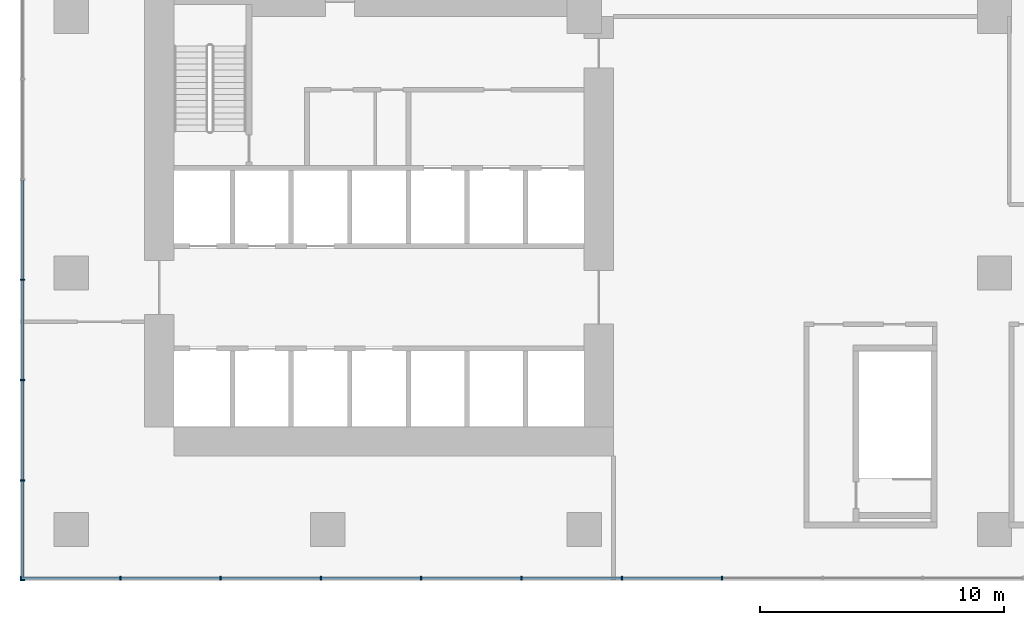
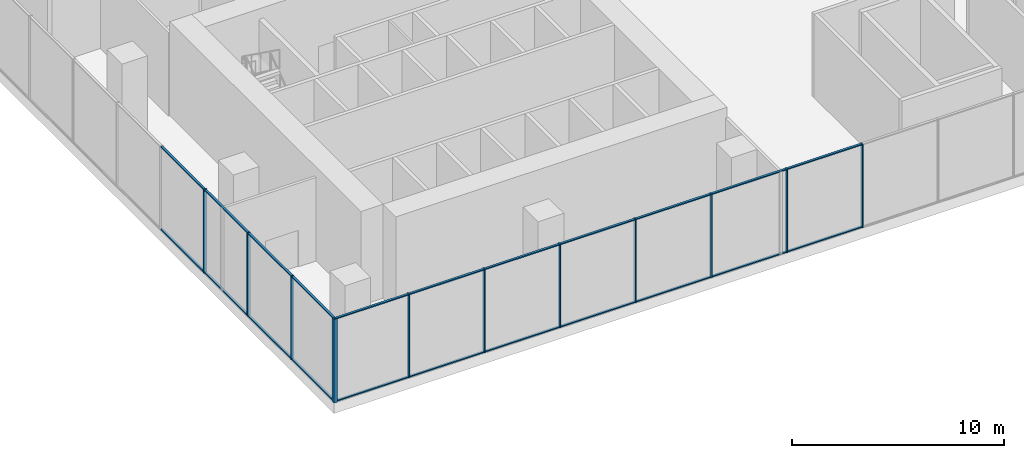
# One storey, part 2 of 21: 34 members, 2 elements without a shape of their own.
"""IFC4 building model written with IfcOpenShell, lengths in metres."""

from ifc_helpers import new_model, si_unit, direction, frame, origin, origin_2d, place, context, subcontext, project, spatial, rectangle, extrude, source, transform, mapped, material, layer, layer_set, material_profile, profile_set, type_object, element, aggregate, save


model = new_model("IFC4")

# Units and contexts
model_context = context("Model", 3, precision=1e-05, world=origin(), true_north=direction((0.0, 1.0)))
body_context = subcontext(model_context, "Body", "Model", "MODEL_VIEW")
ifc_project = project(units=[si_unit("LENGTHUNIT", "METRE"), si_unit("AREAUNIT", "SQUARE_METRE"), si_unit("VOLUMEUNIT", "CUBIC_METRE"), si_unit("PLANEANGLEUNIT", "RADIAN"), si_unit("MASSUNIT", "GRAM", prefix="KILO")], contexts=[model_context])

# Site, building, storey
site_placement = place(None, origin())
site = spatial("IfcSite", under=ifc_project, at=site_placement, CompositionType="ELEMENT")
building_placement = place(site_placement, origin())
building = spatial("IfcBuilding", under=site, at=building_placement, Name="Aurelian Terraces", CompositionType="ELEMENT")
storey_placement = place(building_placement, frame((0.0, 0.0, 29.1)))
storey = spatial("IfcBuildingStorey", under=building, at=storey_placement, Name="L05", CompositionType="ELEMENT", Elevation=29.1)

# Curtain wall, members
ifc_material_1 = material(Name="Anodised aluminium and clear glazing", Category="aluminium")
ifc_layer = layer(ifc_material_1, 0.2)
ifc_layer_set = layer_set([ifc_layer], Name="Winter garden glazing curtain wall")
curtain_wall_type = type_object("IfcCurtainWallType", Name="Winter garden glazing curtain wall", PredefinedType="NOTDEFINED", material=ifc_layer_set)
curtain_wall_1_placement = place(storey_placement, origin())
curtain_wall_1 = element("IfcCurtainWall", 1, at=curtain_wall_1_placement, inside=storey, type_object=curtain_wall_type, Name="Winter garden glazing L05 F01.1", PredefinedType="NOTDEFINED")
ifc_material_2 = material(Name="Anodised aluminium", Category="aluminium")
ifc_material_profile_1 = material_profile(ifc_material_2, rectangle(XDim=0.18, YDim=0.06, at=origin_2d()))
ifc_profile_set_1 = profile_set([ifc_material_profile_1], Name="Anodised aluminium")
member_type_1 = type_object("IfcMemberType", Name="Winter garden glazing mullion", PredefinedType="MULLION", material=ifc_profile_set_1)
shared_shape_1 = source(origin(), body_context, "Body", "SweptSolid", [
    extrude(rectangle(XDim=0.18, YDim=0.06, at=origin_2d()), origin(), (0.0, 0.0, 1.0), 4.8),
])
member_1_placement = place(storey_placement, frame((-2.07, -2.0, 0.0), z_axis=(0.0, 0.0, 1.0), x_axis=(0.0, 1.0, 0.0)))
member_1 = element("IfcMember", 2, at=member_1_placement, type_object=member_type_1, Name="CW6 mullion 1", PredefinedType="MULLION", context=body_context, shape_type="MappedRepresentation", body=[
    mapped(shared_shape_1, transform((0.0, 0.0, 0.0), scale=1.0)),
])
member_2_placement = place(storey_placement, frame((2.0067, -2.0, 0.0), z_axis=(0.0, 0.0, 1.0), x_axis=(0.0, 1.0, 0.0)))
member_2 = element("IfcMember", 3, at=member_2_placement, type_object=member_type_1, Name="CW6 mullion 2", PredefinedType="MULLION", context=body_context, shape_type="MappedRepresentation", body=[
    mapped(shared_shape_1, transform((0.0, 0.0, 0.0), scale=1.0)),
])
member_3_placement = place(storey_placement, frame((6.1133, -2.0, 0.0), z_axis=(0.0, 0.0, 1.0), x_axis=(0.0, 1.0, 0.0)))
member_3 = element("IfcMember", 4, at=member_3_placement, type_object=member_type_1, Name="CW6 mullion 3", PredefinedType="MULLION", context=body_context, shape_type="MappedRepresentation", body=[
    mapped(shared_shape_1, transform((0.0, 0.0, 0.0), scale=1.0)),
])
member_4_placement = place(storey_placement, frame((10.22, -2.0, 0.0), z_axis=(0.0, 0.0, 1.0), x_axis=(0.0, 1.0, 0.0)))
member_4 = element("IfcMember", 5, at=member_4_placement, type_object=member_type_1, Name="CW6 mullion 4", PredefinedType="MULLION", context=body_context, shape_type="MappedRepresentation", body=[
    mapped(shared_shape_1, transform((0.0, 0.0, 0.0), scale=1.0)),
])
member_5_placement = place(storey_placement, frame((14.3267, -2.0, 0.0), z_axis=(0.0, 0.0, 1.0), x_axis=(0.0, 1.0, 0.0)))
member_5 = element("IfcMember", 6, at=member_5_placement, type_object=member_type_1, Name="CW6 mullion 5", PredefinedType="MULLION", context=body_context, shape_type="MappedRepresentation", body=[
    mapped(shared_shape_1, transform((0.0, 0.0, 0.0), scale=1.0)),
])
member_6_placement = place(storey_placement, frame((18.4333, -2.0, 0.0), z_axis=(0.0, 0.0, 1.0), x_axis=(0.0, 1.0, 0.0)))
member_6 = element("IfcMember", 7, at=member_6_placement, type_object=member_type_1, Name="CW6 mullion 6", PredefinedType="MULLION", context=body_context, shape_type="MappedRepresentation", body=[
    mapped(shared_shape_1, transform((0.0, 0.0, 0.0), scale=1.0)),
])
member_7_placement = place(storey_placement, frame((22.54, -2.0, 0.0), z_axis=(0.0, 0.0, 1.0), x_axis=(0.0, 1.0, 0.0)))
member_7 = element("IfcMember", 8, at=member_7_placement, type_object=member_type_1, Name="CW6 mullion 7", PredefinedType="MULLION", context=body_context, shape_type="MappedRepresentation", body=[
    mapped(shared_shape_1, transform((0.0, 0.0, 0.0), scale=1.0)),
])
member_8_placement = place(storey_placement, frame((26.6467, -2.0, 0.0), z_axis=(0.0, 0.0, 1.0), x_axis=(0.0, 1.0, 0.0)))
member_8 = element("IfcMember", 9, at=member_8_placement, type_object=member_type_1, Name="CW6 mullion 8", PredefinedType="MULLION", context=body_context, shape_type="MappedRepresentation", body=[
    mapped(shared_shape_1, transform((0.0, 0.0, 0.0), scale=1.0)),
])

curtain_wall_2_placement = place(storey_placement, origin())
curtain_wall_2 = element("IfcCurtainWall", 10, at=curtain_wall_2_placement, inside=storey, type_object=curtain_wall_type, Name="Winter garden glazing L05 F06.1", PredefinedType="NOTDEFINED")
member_9_placement = place(storey_placement, frame((-2.0, 10.22, 0.0), z_axis=(0.0, 0.0, 1.0), x_axis=(1.0, 0.0, 0.0)))
member_9 = element("IfcMember", 11, at=member_9_placement, type_object=member_type_1, Name="CW6 mullion 16", PredefinedType="MULLION", context=body_context, shape_type="MappedRepresentation", body=[
    mapped(shared_shape_1, transform((0.0, 0.0, 0.0), scale=1.0)),
])
member_10_placement = place(storey_placement, frame((-2.0, 6.1133, 0.0), z_axis=(0.0, 0.0, 1.0), x_axis=(1.0, 0.0, 0.0)))
member_10 = element("IfcMember", 12, at=member_10_placement, type_object=member_type_1, Name="CW6 mullion 17", PredefinedType="MULLION", context=body_context, shape_type="MappedRepresentation", body=[
    mapped(shared_shape_1, transform((0.0, 0.0, 0.0), scale=1.0)),
])
member_11_placement = place(storey_placement, frame((-2.0, 2.0067, 0.0), z_axis=(0.0, 0.0, 1.0), x_axis=(1.0, 0.0, 0.0)))
member_11 = element("IfcMember", 13, at=member_11_placement, type_object=member_type_1, Name="CW6 mullion 18", PredefinedType="MULLION", context=body_context, shape_type="MappedRepresentation", body=[
    mapped(shared_shape_1, transform((0.0, 0.0, 0.0), scale=1.0)),
])
member_12_placement = place(storey_placement, frame((-2.0, -2.07, 0.0), z_axis=(0.0, 0.0, 1.0), x_axis=(1.0, 0.0, 0.0)))
member_12 = element("IfcMember", 14, at=member_12_placement, type_object=member_type_1, Name="CW6 mullion 19", PredefinedType="MULLION", context=body_context, shape_type="MappedRepresentation", body=[
    mapped(shared_shape_1, transform((0.0, 0.0, 0.0), scale=1.0)),
])

# Member
ifc_material_profile_2 = material_profile(ifc_material_2, rectangle(XDim=0.12, YDim=0.06, at=origin_2d()))
ifc_profile_set_2 = profile_set([ifc_material_profile_2], Name="Anodised aluminium")
member_type_2 = type_object("IfcMemberType", Name="Winter garden glazing transom", PredefinedType="USERDEFINED", material=ifc_profile_set_2)
shared_shape_2 = source(origin(), body_context, "Body", "SweptSolid", [
    extrude(rectangle(XDim=0.12, YDim=0.06, at=origin_2d()), origin(), (0.0, 0.0, 1.0), 4.0167),
])
member_13_placement = place(storey_placement, frame((-2.04, -2.0, 0.03), z_axis=(1.0, 0.0, 0.0), x_axis=(0.0, 1.0, 0.0)))
member_13 = element("IfcMember", 15, at=member_13_placement, type_object=member_type_2, Name="CW6 transom 1.1", ObjectType="TRANSOM", PredefinedType="USERDEFINED", context=body_context, shape_type="MappedRepresentation", body=[
    mapped(shared_shape_2, transform((0.0, 0.0, 0.0), scale=1.0)),
])

member_14_placement = place(storey_placement, frame((-2.04, -2.0, 4.77), z_axis=(1.0, 0.0, 0.0), x_axis=(0.0, 1.0, 0.0)))
member_14 = element("IfcMember", 16, at=member_14_placement, type_object=member_type_2, Name="CW6 transom 1.2", ObjectType="TRANSOM", PredefinedType="USERDEFINED", context=body_context, shape_type="MappedRepresentation", body=[
    mapped(shared_shape_2, transform((0.0, 0.0, 0.0), scale=1.0)),
])

member_15_placement = place(storey_placement, frame((-2.0, 1.9767, 0.03), z_axis=(0.0, -1.0, 0.0), x_axis=(1.0, 0.0, 0.0)))
member_15 = element("IfcMember", 17, at=member_15_placement, type_object=member_type_2, Name="CW6 transom 18.1", ObjectType="TRANSOM", PredefinedType="USERDEFINED", context=body_context, shape_type="MappedRepresentation", body=[
    mapped(shared_shape_2, transform((0.0, 0.0, 0.0), scale=1.0)),
])

member_16_placement = place(storey_placement, frame((-2.0, 1.9767, 4.77), z_axis=(0.0, -1.0, 0.0), x_axis=(1.0, 0.0, 0.0)))
member_16 = element("IfcMember", 18, at=member_16_placement, type_object=member_type_2, Name="CW6 transom 18.2", ObjectType="TRANSOM", PredefinedType="USERDEFINED", context=body_context, shape_type="MappedRepresentation", body=[
    mapped(shared_shape_2, transform((0.0, 0.0, 0.0), scale=1.0)),
])

shared_shape_3 = source(origin(), body_context, "Body", "SweptSolid", [
    extrude(rectangle(XDim=0.12, YDim=0.06, at=origin_2d()), origin(), (0.0, 0.0, 1.0), 4.0466),
])
member_17_placement = place(storey_placement, frame((2.0367, -2.0, 0.03), z_axis=(1.0, 0.0, 0.0), x_axis=(0.0, 1.0, 0.0)))
member_17 = element("IfcMember", 19, at=member_17_placement, type_object=member_type_2, Name="CW6 transom 2.1", ObjectType="TRANSOM", PredefinedType="USERDEFINED", context=body_context, shape_type="MappedRepresentation", body=[
    mapped(shared_shape_3, transform((0.0, 0.0, 0.0), scale=1.0)),
])

member_18_placement = place(storey_placement, frame((2.0367, -2.0, 4.77), z_axis=(1.0, 0.0, 0.0), x_axis=(0.0, 1.0, 0.0)))
member_18 = element("IfcMember", 20, at=member_18_placement, type_object=member_type_2, Name="CW6 transom 2.2", ObjectType="TRANSOM", PredefinedType="USERDEFINED", context=body_context, shape_type="MappedRepresentation", body=[
    mapped(shared_shape_3, transform((0.0, 0.0, 0.0), scale=1.0)),
])

member_19_placement = place(storey_placement, frame((14.3567, -2.0, 0.03), z_axis=(1.0, 0.0, 0.0), x_axis=(0.0, 1.0, 0.0)))
member_19 = element("IfcMember", 21, at=member_19_placement, type_object=member_type_2, Name="CW6 transom 5.1", ObjectType="TRANSOM", PredefinedType="USERDEFINED", context=body_context, shape_type="MappedRepresentation", body=[
    mapped(shared_shape_3, transform((0.0, 0.0, 0.0), scale=1.0)),
])

member_20_placement = place(storey_placement, frame((14.3567, -2.0, 4.77), z_axis=(1.0, 0.0, 0.0), x_axis=(0.0, 1.0, 0.0)))
member_20 = element("IfcMember", 22, at=member_20_placement, type_object=member_type_2, Name="CW6 transom 5.2", ObjectType="TRANSOM", PredefinedType="USERDEFINED", context=body_context, shape_type="MappedRepresentation", body=[
    mapped(shared_shape_3, transform((0.0, 0.0, 0.0), scale=1.0)),
])

member_21_placement = place(storey_placement, frame((-2.0, 6.0833, 0.03), z_axis=(0.0, -1.0, 0.0), x_axis=(1.0, 0.0, 0.0)))
member_21 = element("IfcMember", 23, at=member_21_placement, type_object=member_type_2, Name="CW6 transom 17.1", ObjectType="TRANSOM", PredefinedType="USERDEFINED", context=body_context, shape_type="MappedRepresentation", body=[
    mapped(shared_shape_3, transform((0.0, 0.0, 0.0), scale=1.0)),
])

member_22_placement = place(storey_placement, frame((-2.0, 6.0833, 4.77), z_axis=(0.0, -1.0, 0.0), x_axis=(1.0, 0.0, 0.0)))
member_22 = element("IfcMember", 24, at=member_22_placement, type_object=member_type_2, Name="CW6 transom 17.2", ObjectType="TRANSOM", PredefinedType="USERDEFINED", context=body_context, shape_type="MappedRepresentation", body=[
    mapped(shared_shape_3, transform((0.0, 0.0, 0.0), scale=1.0)),
])

shared_shape_4 = source(origin(), body_context, "Body", "SweptSolid", [
    extrude(rectangle(XDim=0.12, YDim=0.06, at=origin_2d()), origin(), (0.0, 0.0, 1.0), 4.0467),
])
member_23_placement = place(storey_placement, frame((6.1433, -2.0, 0.03), z_axis=(1.0, 0.0, 0.0), x_axis=(0.0, 1.0, 0.0)))
member_23 = element("IfcMember", 25, at=member_23_placement, type_object=member_type_2, Name="CW6 transom 3.1", ObjectType="TRANSOM", PredefinedType="USERDEFINED", context=body_context, shape_type="MappedRepresentation", body=[
    mapped(shared_shape_4, transform((0.0, 0.0, 0.0), scale=1.0)),
])

member_24_placement = place(storey_placement, frame((6.1433, -2.0, 4.77), z_axis=(1.0, 0.0, 0.0), x_axis=(0.0, 1.0, 0.0)))
member_24 = element("IfcMember", 26, at=member_24_placement, type_object=member_type_2, Name="CW6 transom 3.2", ObjectType="TRANSOM", PredefinedType="USERDEFINED", context=body_context, shape_type="MappedRepresentation", body=[
    mapped(shared_shape_4, transform((0.0, 0.0, 0.0), scale=1.0)),
])

member_25_placement = place(storey_placement, frame((10.25, -2.0, 0.03), z_axis=(1.0, 0.0, 0.0), x_axis=(0.0, 1.0, 0.0)))
member_25 = element("IfcMember", 27, at=member_25_placement, type_object=member_type_2, Name="CW6 transom 4.1", ObjectType="TRANSOM", PredefinedType="USERDEFINED", context=body_context, shape_type="MappedRepresentation", body=[
    mapped(shared_shape_4, transform((0.0, 0.0, 0.0), scale=1.0)),
])

member_26_placement = place(storey_placement, frame((10.25, -2.0, 4.77), z_axis=(1.0, 0.0, 0.0), x_axis=(0.0, 1.0, 0.0)))
member_26 = element("IfcMember", 28, at=member_26_placement, type_object=member_type_2, Name="CW6 transom 4.2", ObjectType="TRANSOM", PredefinedType="USERDEFINED", context=body_context, shape_type="MappedRepresentation", body=[
    mapped(shared_shape_4, transform((0.0, 0.0, 0.0), scale=1.0)),
])

member_27_placement = place(storey_placement, frame((18.4633, -2.0, 0.03), z_axis=(1.0, 0.0, 0.0), x_axis=(0.0, 1.0, 0.0)))
member_27 = element("IfcMember", 29, at=member_27_placement, type_object=member_type_2, Name="CW6 transom 6.1", ObjectType="TRANSOM", PredefinedType="USERDEFINED", context=body_context, shape_type="MappedRepresentation", body=[
    mapped(shared_shape_4, transform((0.0, 0.0, 0.0), scale=1.0)),
])

member_28_placement = place(storey_placement, frame((18.4633, -2.0, 4.77), z_axis=(1.0, 0.0, 0.0), x_axis=(0.0, 1.0, 0.0)))
member_28 = element("IfcMember", 30, at=member_28_placement, type_object=member_type_2, Name="CW6 transom 6.2", ObjectType="TRANSOM", PredefinedType="USERDEFINED", context=body_context, shape_type="MappedRepresentation", body=[
    mapped(shared_shape_4, transform((0.0, 0.0, 0.0), scale=1.0)),
])

member_29_placement = place(storey_placement, frame((22.57, -2.0, 0.03), z_axis=(1.0, 0.0, 0.0), x_axis=(0.0, 1.0, 0.0)))
member_29 = element("IfcMember", 31, at=member_29_placement, type_object=member_type_2, Name="CW6 transom 7.1", ObjectType="TRANSOM", PredefinedType="USERDEFINED", context=body_context, shape_type="MappedRepresentation", body=[
    mapped(shared_shape_4, transform((0.0, 0.0, 0.0), scale=1.0)),
])

member_30_placement = place(storey_placement, frame((22.57, -2.0, 4.77), z_axis=(1.0, 0.0, 0.0), x_axis=(0.0, 1.0, 0.0)))
member_30 = element("IfcMember", 32, at=member_30_placement, type_object=member_type_2, Name="CW6 transom 7.2", ObjectType="TRANSOM", PredefinedType="USERDEFINED", context=body_context, shape_type="MappedRepresentation", body=[
    mapped(shared_shape_4, transform((0.0, 0.0, 0.0), scale=1.0)),
])

aggregate(curtain_wall_1, [member_1, member_2, member_3, member_4, member_5, member_6, member_7, member_8, member_13, member_14, member_17, member_18, member_23, member_24, member_25, member_26, member_19, member_20, member_27, member_28, member_29, member_30])

member_31_placement = place(storey_placement, frame((-2.0, 14.2967, 0.03), z_axis=(0.0, -1.0, 0.0), x_axis=(1.0, 0.0, 0.0)))
member_31 = element("IfcMember", 33, at=member_31_placement, type_object=member_type_2, Name="CW6 transom 15.1", ObjectType="TRANSOM", PredefinedType="USERDEFINED", context=body_context, shape_type="MappedRepresentation", body=[
    mapped(shared_shape_4, transform((0.0, 0.0, 0.0), scale=1.0)),
])

member_32_placement = place(storey_placement, frame((-2.0, 14.2967, 4.77), z_axis=(0.0, -1.0, 0.0), x_axis=(1.0, 0.0, 0.0)))
member_32 = element("IfcMember", 34, at=member_32_placement, type_object=member_type_2, Name="CW6 transom 15.2", ObjectType="TRANSOM", PredefinedType="USERDEFINED", context=body_context, shape_type="MappedRepresentation", body=[
    mapped(shared_shape_4, transform((0.0, 0.0, 0.0), scale=1.0)),
])

member_33_placement = place(storey_placement, frame((-2.0, 10.19, 0.03), z_axis=(0.0, -1.0, 0.0), x_axis=(1.0, 0.0, 0.0)))
member_33 = element("IfcMember", 35, at=member_33_placement, type_object=member_type_2, Name="CW6 transom 16.1", ObjectType="TRANSOM", PredefinedType="USERDEFINED", context=body_context, shape_type="MappedRepresentation", body=[
    mapped(shared_shape_4, transform((0.0, 0.0, 0.0), scale=1.0)),
])

member_34_placement = place(storey_placement, frame((-2.0, 10.19, 4.77), z_axis=(0.0, -1.0, 0.0), x_axis=(1.0, 0.0, 0.0)))
member_34 = element("IfcMember", 36, at=member_34_placement, type_object=member_type_2, Name="CW6 transom 16.2", ObjectType="TRANSOM", PredefinedType="USERDEFINED", context=body_context, shape_type="MappedRepresentation", body=[
    mapped(shared_shape_4, transform((0.0, 0.0, 0.0), scale=1.0)),
])

aggregate(curtain_wall_2, [member_9, member_10, member_11, member_12, member_31, member_32, member_33, member_34, member_21, member_22, member_15, member_16])

save(model, "model.ifc")
